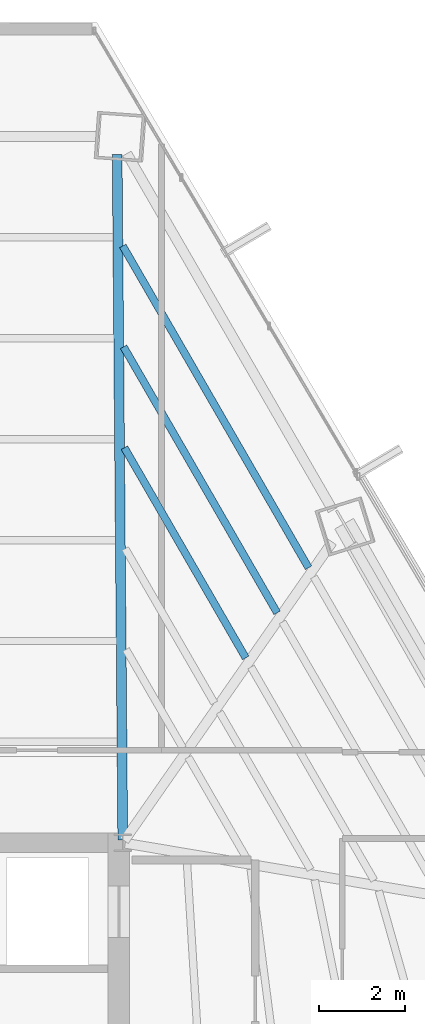
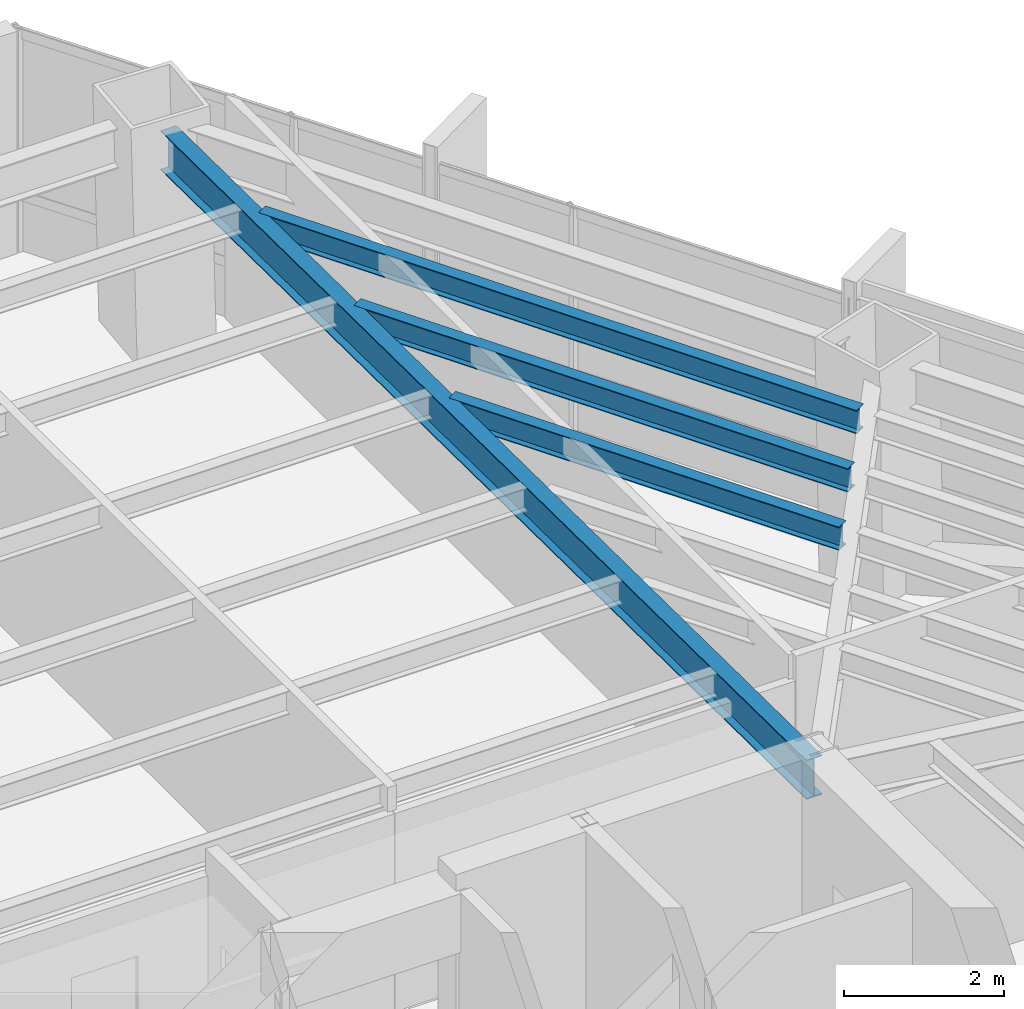
# One storey, part 27 of 37: 4 beams.
"""IFC4 building model written with IfcOpenShell, lengths in metres."""

from ifc_helpers import new_model, si_unit, direction, frame, origin, origin_2d, place, context, subcontext, project, spatial, i_section, extrude, source, transform, mapped, material, material_profile, profile_set, type_object, type_shapes, element, save


model = new_model("IFC4")

# Units and contexts
model_context = context("Model", 3, precision=1e-05, world=origin(), true_north=direction((0.0, 1.0)))
body_context = subcontext(model_context, "Body", "Model", "MODEL_VIEW")
ifc_project = project(units=[si_unit("LENGTHUNIT", "METRE"), si_unit("AREAUNIT", "SQUARE_METRE"), si_unit("VOLUMEUNIT", "CUBIC_METRE"), si_unit("PLANEANGLEUNIT", "RADIAN"), si_unit("MASSUNIT", "GRAM", prefix="KILO")], contexts=[model_context])

# Site, building, storey
site_placement = place(None, origin())
site = spatial("IfcSite", under=ifc_project, at=site_placement, CompositionType="ELEMENT")
building_placement = place(site_placement, origin())
building = spatial("IfcBuilding", under=site, at=building_placement, Name="Caelisora Broadcast Tower", CompositionType="ELEMENT")
storey_placement = place(building_placement, frame((0.0, 0.0, 105.39990234375)))
storey = spatial("IfcBuildingStorey", under=building, at=storey_placement, Name="L27", CompositionType="ELEMENT", Elevation=105.39990234375)

# Beams
ifc_material = material(Name="Steel Grade 350 (AS/NZS 3679.1)", Category="steel")
ifc_material_profile_1 = material_profile(ifc_material, i_section(OverallWidth=0.22802734375, OverallDepth=0.602294921875, WebThickness=0.010498046875, FlangeThickness=0.014892578125, at=origin_2d()), Name="Steel Grade 350 (AS/NZS 3679.1)")
ifc_profile_set_1 = profile_set([ifc_material_profile_1], Name="Steel Grade 350 (AS/NZS 3679.1)")
beam_type_1 = type_object("IfcBeamType", Name="PG04", PredefinedType="BEAM", material=ifc_profile_set_1)
shared_shape_1 = source(origin(), body_context, "Body", "SweptSolid", [
    extrude(i_section(OverallWidth=0.22802734375, OverallDepth=0.602294921875, WebThickness=0.010498046875, FlangeThickness=0.014892578125, at=origin_2d()), origin(), (0.0, 0.0, 1.0), 15.935791015625),
])
type_shapes(beam_type_1, [shared_shape_1])
beam_1_placement = place(storey_placement, frame((45.49951171875, 30.06005859375, 3.098876953125), z_axis=(-0.008165682002, 0.999966660263, 0.0), x_axis=(-0.999966660263, -0.008165682002, 0.0)))
element("IfcBeam", 1, at=beam_1_placement, inside=storey, type_object=beam_type_1, Name="L27 beam PG04", PredefinedType="BEAM", context=body_context, shape_type="MappedRepresentation", body=[
    mapped(shared_shape_1, transform((0.0, 0.0, 0.0), scale=1.0)),
])
ifc_material_profile_2 = material_profile(ifc_material, i_section(OverallWidth=0.172119140625, OverallDepth=0.358642578125, WebThickness=0.008056640625, FlangeThickness=0.012939453125, at=origin_2d()), Name="Steel Grade 350 (AS/NZS 3679.1)")
ifc_profile_set_2 = profile_set([ifc_material_profile_2], Name="Steel Grade 350 (AS/NZS 3679.1)")
beam_type_2 = type_object("IfcBeamType", Name="SB02", PredefinedType="JOIST", material=ifc_profile_set_2)
shared_shape_2 = source(origin(), body_context, "Body", "SweptSolid", [
    extrude(i_section(OverallWidth=0.172119140625, OverallDepth=0.358642578125, WebThickness=0.008056640625, FlangeThickness=0.012939453125, at=origin_2d()), origin(), (0.0, 0.0, 1.0), 5.640869140625),
])
beam_2_placement = place(storey_placement, frame((48.35791015625, 34.29736328125, 3.220703125), z_axis=(-0.499974716921, 0.866040000485, 0.0), x_axis=(-0.866040000485, -0.499974716921, 0.0)))
element("IfcBeam", 2, at=beam_2_placement, inside=storey, type_object=beam_type_2, Name="L27 beam SB02", PredefinedType="JOIST", context=body_context, shape_type="MappedRepresentation", body=[
    mapped(shared_shape_2, transform((0.0, 0.0, 0.0), scale=1.0)),
])
shared_shape_3 = source(origin(), body_context, "Body", "SweptSolid", [
    extrude(i_section(OverallWidth=0.172119140625, OverallDepth=0.358642578125, WebThickness=0.008056640625, FlangeThickness=0.012939453125, at=origin_2d()), origin(), (0.0, 0.0, 1.0), 7.13916015625),
])
beam_3_placement = place(storey_placement, frame((49.087890625, 35.344970703125, 3.220703125), z_axis=(-0.500004662415, 0.866022711921, 0.0), x_axis=(-0.866022711921, -0.500004662415, 0.0)))
element("IfcBeam", 3, at=beam_3_placement, inside=storey, type_object=beam_type_2, Name="L27 beam SB02", PredefinedType="JOIST", context=body_context, shape_type="MappedRepresentation", body=[
    mapped(shared_shape_3, transform((0.0, 0.0, 0.0), scale=1.0)),
])
shared_shape_4 = source(origin(), body_context, "Body", "SweptSolid", [
    extrude(i_section(OverallWidth=0.172119140625, OverallDepth=0.358642578125, WebThickness=0.008056640625, FlangeThickness=0.012939453125, at=origin_2d()), origin(), (0.0, 0.0, 1.0), 8.636962890625),
])
type_shapes(beam_type_2, [shared_shape_2, shared_shape_3, shared_shape_4])
beam_4_placement = place(storey_placement, frame((49.817626953125, 36.392578125, 3.220703125), z_axis=(-0.499981819847, 0.866035899846, 0.0), x_axis=(-0.866035899846, -0.499981819847, 0.0)))
element("IfcBeam", 4, at=beam_4_placement, inside=storey, type_object=beam_type_2, Name="L27 beam SB02", PredefinedType="JOIST", context=body_context, shape_type="MappedRepresentation", body=[
    mapped(shared_shape_4, transform((0.0, 0.0, 0.0), scale=1.0)),
])

save(model, "model.ifc")
